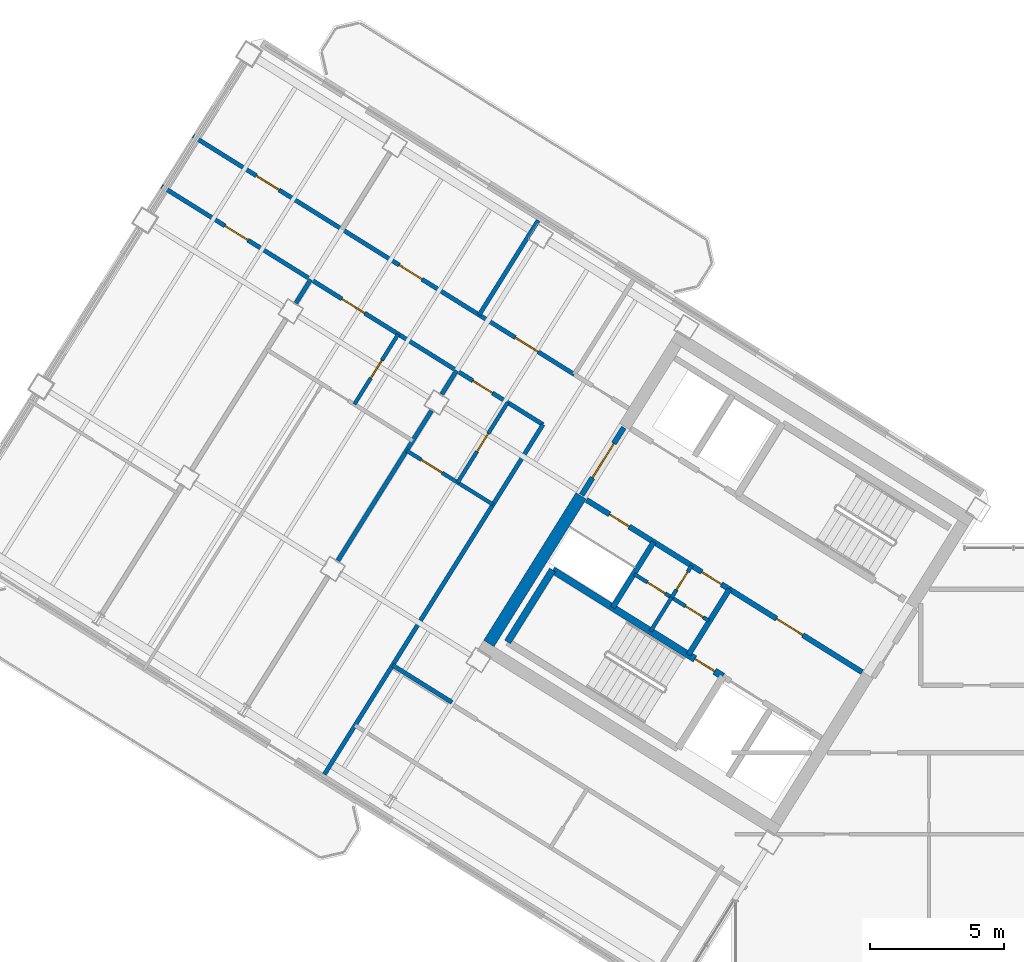
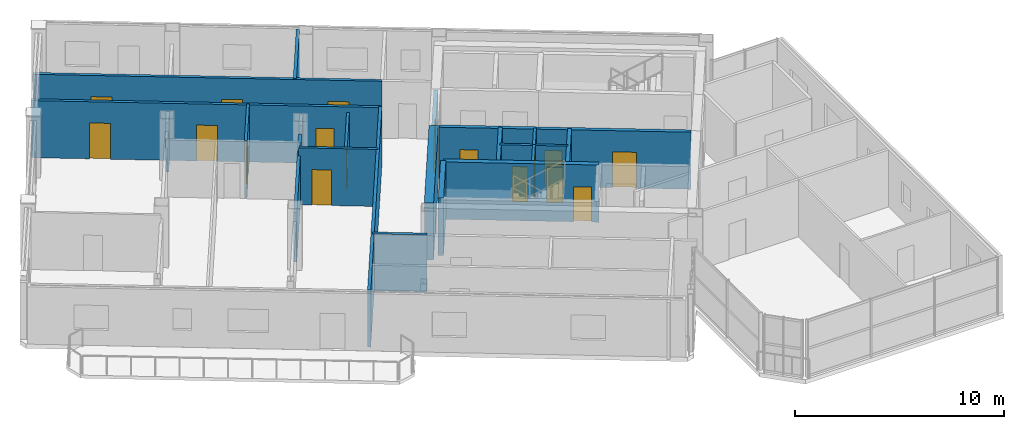
# One storey, part 9 of 17: 22 walls, 17 doors, 17 openings.
"""IFC4 building model written with IfcOpenShell, lengths in metres."""

from ifc_helpers import new_model, si_unit, direction, frame, frame_2d, origin, place, context, subcontext, project, spatial, rectangle, extrude, source, transform, mapped, material, layer, layer_set, type_object, element, fill, save


model = new_model("IFC4")

# Units and contexts
model_context = context("Model", 3, precision=1e-05, world=origin(), true_north=direction((0.0, 1.0)))
body_context = subcontext(model_context, "Body", "Model", "MODEL_VIEW")
ifc_project = project(units=[si_unit("LENGTHUNIT", "METRE"), si_unit("AREAUNIT", "SQUARE_METRE"), si_unit("VOLUMEUNIT", "CUBIC_METRE"), si_unit("PLANEANGLEUNIT", "RADIAN"), si_unit("MASSUNIT", "GRAM", prefix="KILO")], contexts=[model_context])

# Site, building, storey
site_placement = place(None, origin())
site = spatial("IfcSite", under=ifc_project, at=site_placement, CompositionType="ELEMENT")
building_placement = place(site_placement, origin())
building = spatial("IfcBuilding", under=site, at=building_placement, Name="Tlacorven Tower", CompositionType="ELEMENT")
storey_placement = place(building_placement, frame((0.0, 0.0, 277.199951171875)))
storey = spatial("IfcBuildingStorey", under=building, at=storey_placement, Name="L70", CompositionType="ELEMENT", Elevation=277.199951171875)

# Walls
ifc_material_1 = material(Name="Concrete C50/60", Category="concrete")
ifc_layer_1 = layer(ifc_material_1, 0.449951171875)
ifc_layer_set_1 = layer_set([ifc_layer_1], Name="Concrete C50/60")
wall_type_1 = type_object("IfcWallType", Name="WL-COR-450", PredefinedType="SHEAR", material=ifc_layer_set_1)
wall_1_placement = place(storey_placement, frame((26.006591796875, 24.975830078125, 0.0), z_axis=(0.0, 0.0, 1.0), x_axis=(-0.529931155655, -0.848040665456, 0.0)))
element("IfcWall", 1, at=wall_1_placement, inside=storey, type_object=wall_type_1, Name="L70 W core end wall E2.2", PredefinedType="SHEAR", context=body_context, shape_type="SweptSolid", body=[
    extrude(rectangle(XDim=6.47509765625, YDim=0.449951171875, at=frame_2d((3.237548828125, 0.0))), origin(), (0.0, 0.0, 1.0), 3.35009765625),
])
ifc_material_2 = material(Name="Gypsum plasterboard acoustic partition", Category="gypsum")
ifc_layer_2 = layer(ifc_material_2, 0.159912109375)
ifc_layer_set_2 = layer_set([ifc_layer_2], Name="Gypsum plasterboard acoustic partition")
wall_type_2 = type_object("IfcWallType", Name="WL-DEM-160", PredefinedType="PARTITIONING", material=ifc_layer_set_2)
wall_2_placement = place(storey_placement, frame((21.20556640625, 17.29248046875, 0.0), z_axis=(0.0, 0.0, 1.0), x_axis=(-0.848050851465, 0.529914854792, 0.0)))
element("IfcWall", 2, at=wall_2_placement, inside=storey, type_object=wall_type_2, Name="L70 partition 23", PredefinedType="PARTITIONING", context=body_context, shape_type="SweptSolid", body=[
    extrude(rectangle(XDim=2.60986328125, YDim=0.159912109375, at=frame_2d((1.304931640625, 0.0))), origin(), (0.0, 0.0, 1.0), 3.340087890625),
])
wall_3_placement = place(storey_placement, frame((24.587890625, 27.630859375, 0.0), z_axis=(0.0, 0.0, 1.0), x_axis=(-0.529914586043, -0.848051019396, 0.0)))
element("IfcWall", 3, at=wall_3_placement, inside=storey, type_object=wall_type_2, Name="L70 partition 25", PredefinedType="PARTITIONING", context=body_context, shape_type="SweptSolid", body=[
    extrude(rectangle(XDim=15.349609375, YDim=0.159912109375, at=frame_2d((7.6748046875, 0.0))), origin(), (0.0, 0.0, 1.0), 3.340087890625),
])

# Wall, openings, doors
wall_4_placement = place(storey_placement, frame((25.75390625, 29.49658203125, 0.0), z_axis=(0.0, 0.0, 1.0), x_axis=(-0.848045850158, 0.529922858565, 0.0)))
wall_4 = element("IfcWall", 4, at=wall_4_placement, inside=storey, type_object=wall_type_2, Name="L70 Wing W Corridor South Wall", PredefinedType="PARTITIONING", context=body_context, shape_type="SweptSolid", body=[
    extrude(rectangle(XDim=16.730224609375, YDim=0.159912109375, at=frame_2d((8.365234375, 0.0))), origin(), (0.0, 0.0, 1.0), 3.340087890625),
])
opening_1_placement = place(wall_4_placement, frame((1.58837890625, 0.0, 0.0)))
opening_1 = element("IfcOpeningElement", 5, at=opening_1_placement, cuts=wall_4, Name="Opening D11", PredefinedType="OPENING", context=body_context, shape_type="SweptSolid", body=[
    extrude(rectangle(XDim=1.0, YDim=2.10009765625, at=frame_2d((0.5, 1.050048828125))), frame((0.0, 0.08984375, 0.0), z_axis=(0.0, -1.0, 0.0), x_axis=(1.0, 0.0, 0.0)), (0.0, 0.0, 1.0), 0.179931640625),
])
opening_2_placement = place(wall_4_placement, frame((6.68505859375, 0.0, 0.0)))
opening_2 = element("IfcOpeningElement", 6, at=opening_2_placement, cuts=wall_4, Name="Opening D11", PredefinedType="OPENING", context=body_context, shape_type="SweptSolid", body=[
    extrude(rectangle(XDim=1.0, YDim=2.10009765625, at=frame_2d((0.5, 1.050048828125))), frame((0.0, 0.08984375, 0.0), z_axis=(0.0, -1.0, 0.0), x_axis=(1.0, 0.0, 0.0)), (0.0, 0.0, 1.0), 0.179931640625),
])
opening_3_placement = place(wall_4_placement, frame((12.951416015625, 0.0, 0.0)))
opening_3 = element("IfcOpeningElement", 7, at=opening_3_placement, cuts=wall_4, Name="Opening D11", PredefinedType="OPENING", context=body_context, shape_type="SweptSolid", body=[
    extrude(rectangle(XDim=1.0, YDim=2.10009765625, at=frame_2d((0.5, 1.050048828125))), frame((0.0, 0.08984375, 0.0), z_axis=(0.0, -1.0, 0.0), x_axis=(1.0, 0.0, 0.0)), (0.0, 0.0, 1.0), 0.179931640625),
])
ifc_material_3 = material(Name="Fire-rated steel door assembly", Category="steel")
door_type_1 = type_object("IfcDoorType", Name="DR-FLT-FD60-1000", OperationType="NOTDEFINED", PredefinedType="DOOR", material=ifc_material_3)
shared_shape_1 = source(origin(), body_context, "Body", "SweptSolid", [
    extrude(rectangle(XDim=1.0, YDim=2.10009765625, at=frame_2d((0.5, 1.050048828125))), frame((0.0, 0.02490234375, 0.0), z_axis=(0.0, -1.0, 0.0), x_axis=(1.0, 0.0, 0.0)), (0.0, 0.0, 1.0), 0.050048828125),
])
door_1_placement = place(opening_1_placement, frame((1.0, 0.0, 0.0), z_axis=(0.0, 0.0, 1.0), x_axis=(-1.0, 0.0, 0.0)))
door_1 = element("IfcDoor", 8, at=door_1_placement, inside=storey, type_object=door_type_1, Name="L70 door 024", OperationType="SINGLE_SWING_RIGHT", OverallHeight=2.10009765625, OverallWidth=1.0, PredefinedType="DOOR", context=body_context, shape_type="MappedRepresentation", body=[
    mapped(shared_shape_1, transform((0.0, 0.0, 0.0), scale=1.0)),
])
fill(opening_1, door_1)
door_2_placement = place(opening_2_placement, frame((1.0, 0.0, 0.0), z_axis=(0.0, 0.0, 1.0), x_axis=(-1.0, 0.0, 0.0)))
door_2 = element("IfcDoor", 9, at=door_2_placement, inside=storey, type_object=door_type_1, Name="L70 door 025", OperationType="SINGLE_SWING_LEFT", OverallHeight=2.10009765625, OverallWidth=1.0, PredefinedType="DOOR", context=body_context, shape_type="MappedRepresentation", body=[
    mapped(shared_shape_1, transform((0.0, 0.0, 0.0), scale=1.0)),
])
fill(opening_2, door_2)
door_3_placement = place(opening_3_placement, frame((1.0, 0.0, 0.0), z_axis=(0.0, 0.0, 1.0), x_axis=(-1.0, 0.0, 0.0)))
door_3 = element("IfcDoor", 10, at=door_3_placement, inside=storey, type_object=door_type_1, Name="L70 door 026", OperationType="SINGLE_SWING_RIGHT", OverallHeight=2.10009765625, OverallWidth=1.0, PredefinedType="DOOR", context=body_context, shape_type="MappedRepresentation", body=[
    mapped(shared_shape_1, transform((0.0, 0.0, 0.0), scale=1.0)),
])
fill(opening_3, door_3)

wall_5_placement = place(storey_placement, frame((24.587890625, 27.630859375, 0.0), z_axis=(0.0, 0.0, 1.0), x_axis=(-0.848041752158, 0.529929416617, 0.0)))
wall_5 = element("IfcWall", 11, at=wall_5_placement, inside=storey, type_object=wall_type_2, Name="L70 Wing W Corridor North Wall", PredefinedType="PARTITIONING", context=body_context, shape_type="SweptSolid", body=[
    extrude(rectangle(XDim=16.72998046875, YDim=0.159912109375, at=frame_2d((8.364990234375, 0.0))), origin(), (0.0, 0.0, 1.0), 3.340087890625),
])
opening_4_placement = place(wall_5_placement, frame((2.219970703125, 0.0, 0.0)))
opening_4 = element("IfcOpeningElement", 12, at=opening_4_placement, cuts=wall_5, Name="Opening D19", PredefinedType="OPENING", context=body_context, shape_type="SweptSolid", body=[
    extrude(rectangle(XDim=0.860107421875, YDim=2.050048828125, at=frame_2d((0.43017578125, 1.02490234375))), frame((0.0, 0.08984375, 0.0), z_axis=(0.0, -1.0, 0.0), x_axis=(1.0, 0.0, 0.0)), (0.0, 0.0, 1.0), 0.179931640625),
])
opening_5_placement = place(wall_5_placement, frame((7.820068359375, 0.0, 0.0)))
opening_5 = element("IfcOpeningElement", 13, at=opening_5_placement, cuts=wall_5, Name="Opening D11", PredefinedType="OPENING", context=body_context, shape_type="SweptSolid", body=[
    extrude(rectangle(XDim=1.0, YDim=2.10009765625, at=frame_2d((0.5, 1.050048828125))), frame((0.0, 0.08984375, 0.0), z_axis=(0.0, -1.0, 0.0), x_axis=(1.0, 0.0, 0.0)), (0.0, 0.0, 1.0), 0.179931640625),
])
opening_6_placement = place(wall_5_placement, frame((12.949951171875, 0.0, 0.0)))
opening_6 = element("IfcOpeningElement", 14, at=opening_6_placement, cuts=wall_5, Name="Opening D11", PredefinedType="OPENING", context=body_context, shape_type="SweptSolid", body=[
    extrude(rectangle(XDim=1.0, YDim=2.10009765625, at=frame_2d((0.5, 1.050048828125))), frame((0.0, 0.08984375, 0.0), z_axis=(0.0, -1.0, 0.0), x_axis=(1.0, 0.0, 0.0)), (0.0, 0.0, 1.0), 0.179931640625),
])
door_type_2 = type_object("IfcDoorType", Name="DR-RSR-FD60-0860", OperationType="NOTDEFINED", PredefinedType="DOOR", material=ifc_material_3)
shared_shape_2 = source(origin(), body_context, "Body", "SweptSolid", [
    extrude(rectangle(XDim=0.860107421875, YDim=2.050048828125, at=frame_2d((0.43017578125, 1.02490234375))), frame((0.0, 0.02490234375, 0.0), z_axis=(0.0, -1.0, 0.0), x_axis=(1.0, 0.0, 0.0)), (0.0, 0.0, 1.0), 0.050048828125),
])
door_4_placement = place(opening_4_placement, origin())
door_4 = element("IfcDoor", 15, at=door_4_placement, inside=storey, type_object=door_type_2, Name="L70 door 015", OperationType="SINGLE_SWING_LEFT", OverallHeight=2.050048828125, OverallWidth=0.860107421875, PredefinedType="DOOR", context=body_context, shape_type="MappedRepresentation", body=[
    mapped(shared_shape_2, transform((0.0, 0.0, 0.0), scale=1.0)),
])
fill(opening_4, door_4)
door_5_placement = place(opening_5_placement, origin())
door_5 = element("IfcDoor", 16, at=door_5_placement, inside=storey, type_object=door_type_1, Name="L70 door 019", OperationType="SINGLE_SWING_LEFT", OverallHeight=2.10009765625, OverallWidth=1.0, PredefinedType="DOOR", context=body_context, shape_type="MappedRepresentation", body=[
    mapped(shared_shape_1, transform((0.0, 0.0, 0.0), scale=1.0)),
])
fill(opening_5, door_5)
door_6_placement = place(opening_6_placement, origin())
door_6 = element("IfcDoor", 17, at=door_6_placement, inside=storey, type_object=door_type_1, Name="L70 door 022", OperationType="SINGLE_SWING_RIGHT", OverallHeight=2.10009765625, OverallWidth=1.0, PredefinedType="DOOR", context=body_context, shape_type="MappedRepresentation", body=[
    mapped(shared_shape_1, transform((0.0, 0.0, 0.0), scale=1.0)),
])
fill(opening_6, door_6)

# Walls
wall_6_placement = place(storey_placement, frame((21.3740234375, 29.639404296875, 0.0), z_axis=(0.0, 0.0, 1.0), x_axis=(-0.529872092657, -0.848077570405, 0.0)))
element("IfcWall", 18, at=wall_6_placement, inside=storey, type_object=wall_type_2, Name="L70 WN Demising Wall 1", PredefinedType="PARTITIONING", context=body_context, shape_type="SweptSolid", body=[
    extrude(rectangle(XDim=1.0380859375, YDim=0.159912109375, at=frame_2d((0.51904296875, 0.0))), origin(), (0.0, 0.0, 1.0), 2.875),
])
wall_7_placement = place(storey_placement, frame((20.440185546875, 28.14501953125, 0.0), z_axis=(0.0, 0.0, 1.0), x_axis=(-0.529938869374, -0.84803584519, 0.0)))
element("IfcWall", 19, at=wall_7_placement, inside=storey, type_object=wall_type_2, Name="L70 WN Demising Wall 1", PredefinedType="PARTITIONING", context=body_context, shape_type="SweptSolid", body=[
    extrude(rectangle(XDim=6.575927734375, YDim=0.159912109375, at=frame_2d((3.2880859375, 0.0))), origin(), (0.0, 0.0, 1.0), 2.875),
])
wall_8_placement = place(storey_placement, frame((15.9462890625, 33.03076171875, 0.0), z_axis=(0.0, 0.0, 1.0), x_axis=(-0.529977795385, -0.848011519025, 0.0)))
element("IfcWall", 20, at=wall_8_placement, inside=storey, type_object=wall_type_2, Name="L70 WN Demising Wall 2", PredefinedType="PARTITIONING", context=body_context, shape_type="SweptSolid", body=[
    extrude(rectangle(XDim=1.037841796875, YDim=0.159912109375, at=frame_2d((0.51904296875, 0.0))), origin(), (0.0, 0.0, 1.0), 2.875),
])
wall_9_placement = place(storey_placement, frame((24.41064453125, 35.2294921875, 0.0), z_axis=(0.0, 0.0, 1.0), x_axis=(-0.529940769753, -0.848034657637, 0.0)))
element("IfcWall", 21, at=wall_9_placement, inside=storey, type_object=wall_type_2, Name="L70 partition 37", PredefinedType="PARTITIONING", context=body_context, shape_type="SweptSolid", body=[
    extrude(rectangle(XDim=4.14990234375, YDim=0.159912109375, at=frame_2d((2.074951171875, 0.0))), origin(), (0.0, 0.0, 1.0), 3.340087890625),
])

# Wall, opening, door
ifc_material_4 = material(Name="Moisture-resistant gypsum plumbing wall", Category="gypsum")
ifc_layer_3 = layer(ifc_material_4, 0.139892578125)
ifc_layer_set_3 = layer_set([ifc_layer_3], Name="Moisture-resistant gypsum plumbing wall")
wall_type_3 = type_object("IfcWallType", Name="WL-PLM-140", PredefinedType="PLUMBINGWALL", material=ifc_layer_set_3)
wall_10_placement = place(storey_placement, frame((30.117431640625, 22.383544921875, 0.0), z_axis=(0.0, 0.0, 1.0), x_axis=(-0.529951914384, -0.848027693204, 0.0)))
wall_10 = element("IfcWall", 22, at=wall_10_placement, inside=storey, type_object=wall_type_3, Name="L70 partition 18", PredefinedType="PLUMBINGWALL", context=body_context, shape_type="SweptSolid", body=[
    extrude(rectangle(XDim=1.39990234375, YDim=0.139892578125, at=frame_2d((0.699951171875, 0.0))), origin(), (0.0, 0.0, 1.0), 3.340087890625),
])
opening_7_placement = place(wall_10_placement, frame((0.280029296875, 0.0, 0.0)))
opening_7 = element("IfcOpeningElement", 23, at=opening_7_placement, cuts=wall_10, Name="Opening D22", PredefinedType="OPENING", context=body_context, shape_type="SweptSolid", body=[
    extrude(rectangle(XDim=0.780029296875, YDim=2.050048828125, at=frame_2d((0.39013671875, 1.02490234375))), frame((0.0, 0.080078125, 0.0), z_axis=(0.0, -1.0, 0.0), x_axis=(1.0, 0.0, 0.0)), (0.0, 0.0, 1.0), 0.159912109375),
])
ifc_material_5 = material(Name="Powder-coated aluminium and timber door", Category="wood")
door_type_3 = type_object("IfcDoorType", Name="DR-INT-WET-0780", OperationType="NOTDEFINED", PredefinedType="DOOR", material=ifc_material_5)
shared_shape_3 = source(origin(), body_context, "Body", "SweptSolid", [
    extrude(rectangle(XDim=0.780029296875, YDim=2.050048828125, at=frame_2d((0.39013671875, 1.02490234375))), frame((0.0, 0.02490234375, 0.0), z_axis=(0.0, -1.0, 0.0), x_axis=(1.0, 0.0, 0.0)), (0.0, 0.0, 1.0), 0.050048828125),
])
door_7_placement = place(opening_7_placement, origin())
door_7 = element("IfcDoor", 24, at=door_7_placement, inside=storey, type_object=door_type_3, Name="L70 door 010", OperationType="SINGLE_SWING_LEFT", OverallHeight=2.050048828125, OverallWidth=0.780029296875, PredefinedType="DOOR", context=body_context, shape_type="MappedRepresentation", body=[
    mapped(shared_shape_3, transform((0.0, 0.0, 0.0), scale=1.0)),
])
fill(opening_7, door_7)

# Wall
wall_11_placement = place(storey_placement, frame((29.37548828125, 21.1962890625, 0.0), z_axis=(0.0, 0.0, 1.0), x_axis=(-0.529865479138, -0.848081702443, 0.0)))
element("IfcWall", 25, at=wall_11_placement, inside=storey, type_object=wall_type_3, Name="L70 partition 19", PredefinedType="PLUMBINGWALL", context=body_context, shape_type="SweptSolid", body=[
    extrude(rectangle(XDim=1.47998046875, YDim=0.139892578125, at=frame_2d((0.739990234375, 0.0))), origin(), (0.0, 0.0, 1.0), 3.340087890625),
])

# Wall, openings, doors
wall_12_placement = place(storey_placement, frame((30.766357421875, 20.3271484375, 0.0), z_axis=(0.0, 0.0, 1.0), x_axis=(-0.848052663127, 0.529911955482, 0.0)))
wall_12 = element("IfcWall", 26, at=wall_12_placement, inside=storey, type_object=wall_type_3, Name="L70 partition 20", PredefinedType="PLUMBINGWALL", context=body_context, shape_type="SweptSolid", body=[
    extrude(rectangle(XDim=3.27978515625, YDim=0.139892578125, at=frame_2d((1.639892578125, 0.0))), origin(), (0.0, 0.0, 1.0), 3.340087890625),
])
opening_8_placement = place(wall_12_placement, frame((0.25, 0.0, 0.0)))
opening_8 = element("IfcOpeningElement", 27, at=opening_8_placement, cuts=wall_12, Name="Opening D22", PredefinedType="OPENING", context=body_context, shape_type="SweptSolid", body=[
    extrude(rectangle(XDim=0.780029296875, YDim=2.050048828125, at=frame_2d((0.39013671875, 1.02490234375))), frame((0.0, 0.080078125, 0.0), z_axis=(0.0, -1.0, 0.0), x_axis=(1.0, 0.0, 0.0)), (0.0, 0.0, 1.0), 0.159912109375),
])
opening_9_placement = place(wall_12_placement, frame((1.919921875, 0.0, 0.0)))
opening_9 = element("IfcOpeningElement", 28, at=opening_9_placement, cuts=wall_12, Name="Opening D22", PredefinedType="OPENING", context=body_context, shape_type="SweptSolid", body=[
    extrude(rectangle(XDim=0.780029296875, YDim=2.050048828125, at=frame_2d((0.39013671875, 1.02490234375))), frame((0.0, 0.080078125, 0.0), z_axis=(0.0, -1.0, 0.0), x_axis=(1.0, 0.0, 0.0)), (0.0, 0.0, 1.0), 0.159912109375),
])
door_8_placement = place(opening_8_placement, origin())
door_8 = element("IfcDoor", 29, at=door_8_placement, inside=storey, type_object=door_type_3, Name="L70 door 011", OperationType="SINGLE_SWING_RIGHT", OverallHeight=2.050048828125, OverallWidth=0.780029296875, PredefinedType="DOOR", context=body_context, shape_type="MappedRepresentation", body=[
    mapped(shared_shape_3, transform((0.0, 0.0, 0.0), scale=1.0)),
])
fill(opening_8, door_8)
door_9_placement = place(opening_9_placement, origin())
door_9 = element("IfcDoor", 30, at=door_9_placement, inside=storey, type_object=door_type_3, Name="L70 door 012", OperationType="SINGLE_SWING_LEFT", OverallHeight=2.050048828125, OverallWidth=0.780029296875, PredefinedType="DOOR", context=body_context, shape_type="MappedRepresentation", body=[
    mapped(shared_shape_3, transform((0.0, 0.0, 0.0), scale=1.0)),
])
fill(opening_9, door_9)

# Wall, opening, door
wall_13_placement = place(storey_placement, frame((22.72802734375, 24.654296875, 0.0), z_axis=(0.0, 0.0, 1.0), x_axis=(-0.848059820872, 0.529900500304, 0.0)))
wall_13 = element("IfcWall", 31, at=wall_13_placement, inside=storey, type_object=wall_type_3, Name="L70 partition 30", PredefinedType="PLUMBINGWALL", context=body_context, shape_type="SweptSolid", body=[
    extrude(rectangle(XDim=3.7900390625, YDim=0.139892578125, at=frame_2d((1.89501953125, 0.0))), origin(), (0.0, 0.0, 1.0), 3.340087890625),
])
opening_10_placement = place(wall_13_placement, frame((2.22998046875, 0.0, 0.0)))
opening_10 = element("IfcOpeningElement", 32, at=opening_10_placement, cuts=wall_13, Name="Opening D12", PredefinedType="OPENING", context=body_context, shape_type="SweptSolid", body=[
    extrude(rectangle(XDim=0.919921875, YDim=2.080078125, at=frame_2d((0.4599609375, 1.0400390625))), frame((0.0, 0.080078125, 0.0), z_axis=(0.0, -1.0, 0.0), x_axis=(1.0, 0.0, 0.0)), (0.0, 0.0, 1.0), 0.159912109375),
])
door_type_4 = type_object("IfcDoorType", Name="DR-INT-ROOM-0920", OperationType="NOTDEFINED", PredefinedType="DOOR", material=ifc_material_5)
shared_shape_4 = source(origin(), body_context, "Body", "SweptSolid", [
    extrude(rectangle(XDim=0.919921875, YDim=2.080078125, at=frame_2d((0.4599609375, 1.0400390625))), frame((0.0, 0.02490234375, 0.0), z_axis=(0.0, -1.0, 0.0), x_axis=(1.0, 0.0, 0.0)), (0.0, 0.0, 1.0), 0.050048828125),
])
door_10_placement = place(opening_10_placement, origin())
door_10 = element("IfcDoor", 33, at=door_10_placement, inside=storey, type_object=door_type_4, Name="L70 door 016", OperationType="SINGLE_SWING_RIGHT", OverallHeight=2.080078125, OverallWidth=0.919921875, PredefinedType="DOOR", context=body_context, shape_type="MappedRepresentation", body=[
    mapped(shared_shape_4, transform((0.0, 0.0, 0.0), scale=1.0)),
])
fill(opening_10, door_10)

wall_14_placement = place(storey_placement, frame((23.2734375, 28.452392578125, 0.0), z_axis=(0.0, 0.0, 1.0), x_axis=(-0.529867639402, -0.848080352747, 0.0)))
wall_14 = element("IfcWall", 34, at=wall_14_placement, inside=storey, type_object=wall_type_3, Name="L70 partition 31", PredefinedType="PLUMBINGWALL", context=body_context, shape_type="SweptSolid", body=[
    extrude(rectangle(XDim=3.510009765625, YDim=0.139892578125, at=frame_2d((1.7548828125, 0.0))), origin(), (0.0, 0.0, 1.0), 3.025146484375),
])
opening_11_placement = place(wall_14_placement, frame((1.364990234375, 0.0, 0.0)))
opening_11 = element("IfcOpeningElement", 35, at=opening_11_placement, cuts=wall_14, Name="Opening D22", PredefinedType="OPENING", context=body_context, shape_type="SweptSolid", body=[
    extrude(rectangle(XDim=0.780029296875, YDim=2.050048828125, at=frame_2d((0.39013671875, 1.02490234375))), frame((0.0, 0.080078125, 0.0), z_axis=(0.0, -1.0, 0.0), x_axis=(1.0, 0.0, 0.0)), (0.0, 0.0, 1.0), 0.159912109375),
])
door_11_placement = place(opening_11_placement, origin())
door_11 = element("IfcDoor", 36, at=door_11_placement, inside=storey, type_object=door_type_3, Name="L70 door 017", OperationType="SINGLE_SWING_LEFT", OverallHeight=2.050048828125, OverallWidth=0.780029296875, PredefinedType="DOOR", context=body_context, shape_type="MappedRepresentation", body=[
    mapped(shared_shape_3, transform((0.0, 0.0, 0.0), scale=1.0)),
])
fill(opening_11, door_11)

wall_15_placement = place(storey_placement, frame((19.202880859375, 30.995849609375, 0.0), z_axis=(0.0, 0.0, 1.0), x_axis=(-0.52992768316, -0.848042835369, 0.0)))
wall_15 = element("IfcWall", 37, at=wall_15_placement, inside=storey, type_object=wall_type_3, Name="L70 partition 34", PredefinedType="PLUMBINGWALL", context=body_context, shape_type="SweptSolid", body=[
    extrude(rectangle(XDim=3.079833984375, YDim=0.139892578125, at=frame_2d((1.5400390625, 0.0))), origin(), (0.0, 0.0, 1.0), 3.340087890625),
])
opening_12_placement = place(wall_15_placement, frame((1.14990234375, 0.0, 0.0)))
opening_12 = element("IfcOpeningElement", 38, at=opening_12_placement, cuts=wall_15, Name="Opening D22", PredefinedType="OPENING", context=body_context, shape_type="SweptSolid", body=[
    extrude(rectangle(XDim=0.780029296875, YDim=2.050048828125, at=frame_2d((0.39013671875, 1.02490234375))), frame((0.0, 0.080078125, 0.0), z_axis=(0.0, -1.0, 0.0), x_axis=(1.0, 0.0, 0.0)), (0.0, 0.0, 1.0), 0.159912109375),
])
door_12_placement = place(opening_12_placement, origin())
door_12 = element("IfcDoor", 39, at=door_12_placement, inside=storey, type_object=door_type_3, Name="L70 door 021", OperationType="SINGLE_SWING_LEFT", OverallHeight=2.050048828125, OverallWidth=0.780029296875, PredefinedType="DOOR", context=body_context, shape_type="MappedRepresentation", body=[
    mapped(shared_shape_3, transform((0.0, 0.0, 0.0), scale=1.0)),
])
fill(opening_12, door_12)

ifc_material_6 = material(Name="Concrete C40/50", Category="concrete")
ifc_layer_4 = layer(ifc_material_6, 0.199951171875)
ifc_layer_set_4 = layer_set([ifc_layer_4], Name="Concrete C40/50")
wall_type_4 = type_object("IfcWallType", Name="WL-SHF-200", PredefinedType="STANDARD", material=ifc_layer_set_4)
wall_16_placement = place(storey_placement, frame((36.459228515625, 18.420654296875, 0.0), z_axis=(0.0, 0.0, 1.0), x_axis=(-0.848059591691, 0.529900867089, 0.0)))
wall_16 = element("IfcWall", 40, at=wall_16_placement, inside=storey, type_object=wall_type_4, Name="L70 Core W Smoke Lobby Wall", PredefinedType="STANDARD", context=body_context, shape_type="SweptSolid", body=[
    extrude(rectangle(XDim=5.818115234375, YDim=0.199951171875, at=frame_2d((2.9091796875, 0.0))), origin(), (0.0, 0.0, 1.0), 3.340087890625),
])
opening_13_placement = place(wall_16_placement, frame((2.597900390625, 0.0, 0.0)))
opening_13 = element("IfcOpeningElement", 41, at=opening_13_placement, cuts=wall_16, Name="Opening D09", PredefinedType="OPENING", context=body_context, shape_type="SweptSolid", body=[
    extrude(rectangle(XDim=1.14990234375, YDim=2.10009765625, at=frame_2d((0.574951171875, 1.050048828125))), frame((0.0, 0.10986328125, 0.0), z_axis=(0.0, -1.0, 0.0), x_axis=(1.0, 0.0, 0.0)), (0.0, 0.0, 1.0), 0.219970703125),
])
door_type_5 = type_object("IfcDoorType", Name="DR-FFL-FD60-1150", OperationType="NOTDEFINED", PredefinedType="DOOR", material=ifc_material_3)
shared_shape_5 = source(origin(), body_context, "Body", "SweptSolid", [
    extrude(rectangle(XDim=1.14990234375, YDim=2.10009765625, at=frame_2d((0.574951171875, 1.050048828125))), frame((0.0, 0.02490234375, 0.0), z_axis=(0.0, -1.0, 0.0), x_axis=(1.0, 0.0, 0.0)), (0.0, 0.0, 1.0), 0.050048828125),
])
door_13_placement = place(opening_13_placement, origin())
door_13 = element("IfcDoor", 42, at=door_13_placement, inside=storey, type_object=door_type_5, Name="L70 Firefighting Lobby W Fire Door", OperationType="SINGLE_SWING_RIGHT", OverallHeight=2.10009765625, OverallWidth=1.14990234375, PredefinedType="DOOR", context=body_context, shape_type="MappedRepresentation", body=[
    mapped(shared_shape_5, transform((0.0, 0.0, 0.0), scale=1.0)),
])
fill(opening_13, door_13)

# Walls
for number, where, z_axis, x_axis, name in (
    (43, (31.525146484375, 21.503662109375, 0.0), (0.0, 0.0, 1.0), (-0.529907497854, -0.848055448493, 0.0), "L70 partition 15"),
    (44, (28.709716796875, 23.26318359375, 0.0), (0.0, 0.0, 1.0), (-0.529907497854, -0.848055448493, 0.0), "L70 partition 16"),
):
    element("IfcWall", number, at=place(storey_placement, frame(where, z_axis=z_axis, x_axis=x_axis)), inside=storey, type_object=wall_type_4, Name=name, PredefinedType="STANDARD", context=body_context, shape_type="SweptSolid", body=[
        extrude(rectangle(XDim=2.8798828125, YDim=0.199951171875, at=frame_2d((1.43994140625, 0.0))), origin(), (0.0, 0.0, 1.0), 3.340087890625),
    ])

# Wall, openings, doors
wall_17_placement = place(storey_placement, frame((31.525146484375, 21.503662109375, 0.0), z_axis=(0.0, 0.0, 1.0), x_axis=(-0.848042066329, 0.529928913853, 0.0)))
wall_17 = element("IfcWall", 45, at=wall_17_placement, inside=storey, type_object=wall_type_4, Name="L70 Core W North Service Wall", PredefinedType="STANDARD", context=body_context, shape_type="SweptSolid", body=[
    extrude(rectangle(XDim=6.267822265625, YDim=0.199951171875, at=frame_2d((3.1337890625, 0.0))), origin(), (0.0, 0.0, 1.0), 3.340087890625),
])
opening_14_placement = place(wall_17_placement, frame((4.39990234375, 0.0, 0.0)))
opening_14 = element("IfcOpeningElement", 46, at=opening_14_placement, cuts=wall_17, Name="Opening D19", PredefinedType="OPENING", context=body_context, shape_type="SweptSolid", body=[
    extrude(rectangle(XDim=0.860107421875, YDim=2.050048828125, at=frame_2d((0.43017578125, 1.02490234375))), frame((0.0, 0.10986328125, 0.0), z_axis=(0.0, -1.0, 0.0), x_axis=(1.0, 0.0, 0.0)), (0.0, 0.0, 1.0), 0.219970703125),
])
opening_15_placement = place(wall_17_placement, frame((0.35009765625, 0.0, 0.0)))
opening_15 = element("IfcOpeningElement", 47, at=opening_15_placement, cuts=wall_17, Name="Opening D19", PredefinedType="OPENING", context=body_context, shape_type="SweptSolid", body=[
    extrude(rectangle(XDim=0.860107421875, YDim=2.050048828125, at=frame_2d((0.43017578125, 1.02490234375))), frame((0.0, 0.10986328125, 0.0), z_axis=(0.0, -1.0, 0.0), x_axis=(1.0, 0.0, 0.0)), (0.0, 0.0, 1.0), 0.219970703125),
])
door_14_placement = place(opening_14_placement, frame((0.860107421875, 0.0, 0.0), z_axis=(0.0, 0.0, 1.0), x_axis=(-1.0, 0.0, 0.0)))
door_14 = element("IfcDoor", 48, at=door_14_placement, inside=storey, type_object=door_type_2, Name="L70 Electrical Riser Access Door W", OperationType="SINGLE_SWING_LEFT", OverallHeight=2.050048828125, OverallWidth=0.860107421875, PredefinedType="DOOR", context=body_context, shape_type="MappedRepresentation", body=[
    mapped(shared_shape_2, transform((0.0, 0.0, 0.0), scale=1.0)),
])
fill(opening_14, door_14)
door_15_placement = place(opening_15_placement, frame((0.860107421875, 0.0, 0.0), z_axis=(0.0, 0.0, 1.0), x_axis=(-1.0, 0.0, 0.0)))
door_15 = element("IfcDoor", 49, at=door_15_placement, inside=storey, type_object=door_type_2, Name="L70 Cleaning Room Access Door W", OperationType="SINGLE_SWING_RIGHT", OverallHeight=2.050048828125, OverallWidth=0.860107421875, PredefinedType="DOOR", context=body_context, shape_type="MappedRepresentation", body=[
    mapped(shared_shape_2, transform((0.0, 0.0, 0.0), scale=1.0)),
])
fill(opening_15, door_15)

# Wall, opening, door
wall_18_placement = place(storey_placement, frame((27.59619140625, 27.52001953125, 0.0), z_axis=(0.0, 0.0, 1.0), x_axis=(-0.529865479138, -0.848081702443, 0.0)))
wall_18 = element("IfcWall", 50, at=wall_18_placement, inside=storey, type_object=wall_type_4, Name="L70 partition 21", PredefinedType="STANDARD", context=body_context, shape_type="SweptSolid", body=[
    extrude(rectangle(XDim=2.9599609375, YDim=0.199951171875, at=frame_2d((1.47998046875, 0.0))), origin(), (0.0, 0.0, 1.0), 3.340087890625),
])
opening_16_placement = place(wall_18_placement, frame((0.699951171875, 0.0, 0.0)))
opening_16 = element("IfcOpeningElement", 51, at=opening_16_placement, cuts=wall_18, Name="Opening D10", PredefinedType="OPENING", context=body_context, shape_type="SweptSolid", body=[
    extrude(rectangle(XDim=1.5, YDim=2.14990234375, at=frame_2d((0.75, 1.074951171875))), frame((0.0, 0.10986328125, 0.0), z_axis=(0.0, -1.0, 0.0), x_axis=(1.0, 0.0, 0.0)), (0.0, 0.0, 1.0), 0.219970703125),
])
door_type_6 = type_object("IfcDoorType", Name="DR-LOB-FD60-1500", OperationType="DOUBLE_DOOR_SINGLE_SWING", PredefinedType="DOOR", material=ifc_material_3)
shared_shape_6 = source(origin(), body_context, "Body", "SweptSolid", [
    extrude(rectangle(XDim=1.5, YDim=2.14990234375, at=frame_2d((0.75, 1.074951171875))), frame((0.0, 0.02490234375, 0.0), z_axis=(0.0, -1.0, 0.0), x_axis=(1.0, 0.0, 0.0)), (0.0, 0.0, 1.0), 0.050048828125),
])
door_16_placement = place(opening_16_placement, origin())
door_16 = element("IfcDoor", 52, at=door_16_placement, inside=storey, type_object=door_type_6, Name="L70 door 014", OperationType="DOUBLE_DOOR_SINGLE_SWING", OverallHeight=2.14990234375, OverallWidth=1.5, PredefinedType="DOOR", context=body_context, shape_type="MappedRepresentation", body=[
    mapped(shared_shape_6, transform((0.0, 0.0, 0.0), scale=1.0)),
])
fill(opening_16, door_16)

ifc_layer_5 = layer(ifc_material_1, 0.260009765625)
ifc_layer_set_5 = layer_set([ifc_layer_5], Name="Concrete C50/60")
wall_type_5 = type_object("IfcWallType", Name="WL-STW-260", PredefinedType="SHEAR", material=ifc_layer_set_5)
wall_19_placement = place(storey_placement, frame((31.279541015625, 18.26123046875, 0.0), z_axis=(0.0, 0.0, 1.0), x_axis=(-0.848051618787, 0.529913626805, 0.0)))
wall_19 = element("IfcWall", 53, at=wall_19_placement, inside=storey, type_object=wall_type_5, Name="L70 Stair W1 Lobby Shear Wall", PredefinedType="SHEAR", context=body_context, shape_type="SweptSolid", body=[
    extrude(rectangle(XDim=7.4599609375, YDim=0.260009765625, at=frame_2d((3.72998046875, 0.0))), origin(), (0.0, 0.0, 1.0), 3.35009765625),
])
opening_17_placement = place(wall_19_placement, frame((0.360107421875, 0.0, 0.0)))
opening_17 = element("IfcOpeningElement", 54, at=opening_17_placement, cuts=wall_19, Name="Opening D19", PredefinedType="OPENING", context=body_context, shape_type="SweptSolid", body=[
    extrude(rectangle(XDim=0.860107421875, YDim=2.050048828125, at=frame_2d((0.43017578125, 1.02490234375))), frame((0.0, 0.14013671875, 0.0), z_axis=(0.0, -1.0, 0.0), x_axis=(1.0, 0.0, 0.0)), (0.0, 0.0, 1.0), 0.280029296875),
])
door_17_placement = place(opening_17_placement, frame((0.860107421875, 0.0, 0.0), z_axis=(0.0, 0.0, 1.0), x_axis=(-1.0, 0.0, 0.0)))
door_17 = element("IfcDoor", 55, at=door_17_placement, inside=storey, type_object=door_type_2, Name="L70 Exit Stair W1 Fire Door", OperationType="SINGLE_SWING_LEFT", OverallHeight=2.050048828125, OverallWidth=0.860107421875, PredefinedType="DOOR", context=body_context, shape_type="MappedRepresentation", body=[
    mapped(shared_shape_2, transform((0.0, 0.0, 0.0), scale=1.0)),
])
fill(opening_17, door_17)

# Wall
wall_20_placement = place(storey_placement, frame((24.944580078125, 22.2197265625, 0.0), z_axis=(0.0, 0.0, 1.0), x_axis=(-0.529908658664, -0.84805472316, 0.0)))
element("IfcWall", 56, at=wall_20_placement, inside=storey, type_object=wall_type_5, Name="L70 Stair W1 East Shear Wall", PredefinedType="SHEAR", context=body_context, shape_type="SweptSolid", body=[
    extrude(rectangle(XDim=3.16015625, YDim=0.260009765625, at=frame_2d((1.580078125, 0.0))), origin(), (0.0, 0.0, 1.0), 3.35009765625),
])

save(model, "model.ifc")
